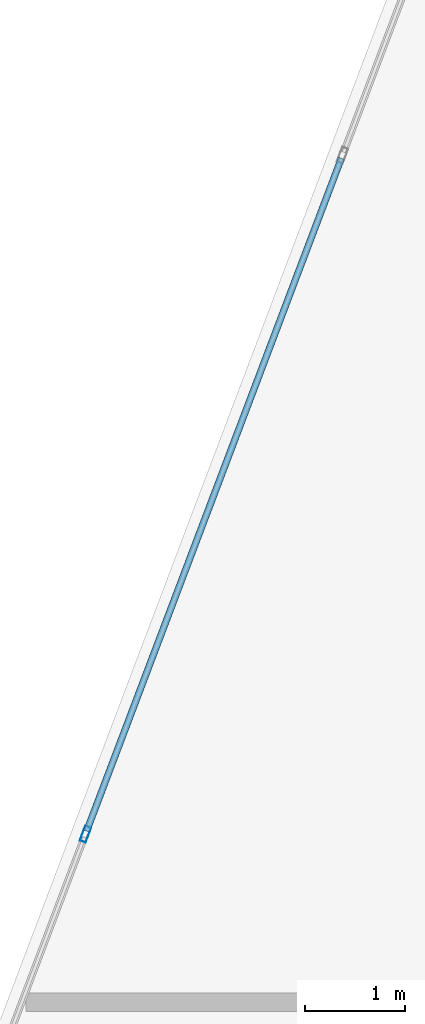
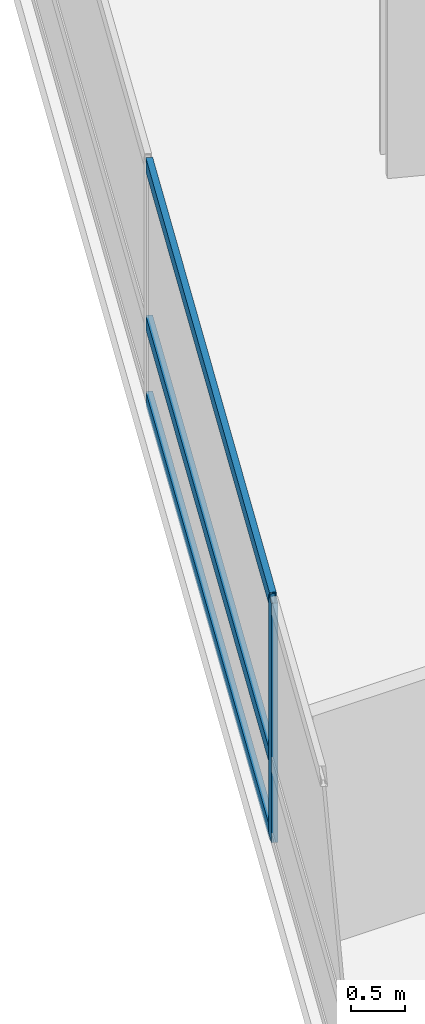
# One storey, part 4 of 25: 4 members, 1 element without a shape of its own.
"""IFC4 building model written with IfcOpenShell, lengths in metres."""

from ifc_helpers import new_model, si_unit, direction, frame, origin, origin_2d, place, context, subcontext, project, spatial, hollow_rectangle, extrude, material, layer, layer_set, material_profile, profile_set, type_object, element, aggregate, save


model = new_model("IFC4")

# Units and contexts
model_context = context("Model", 3, precision=1e-05, world=origin(), true_north=direction((0.0, 1.0)))
body_context = subcontext(model_context, "Body", "Model", "MODEL_VIEW")
ifc_project = project(units=[si_unit("LENGTHUNIT", "METRE"), si_unit("AREAUNIT", "SQUARE_METRE"), si_unit("VOLUMEUNIT", "CUBIC_METRE"), si_unit("PLANEANGLEUNIT", "RADIAN"), si_unit("MASSUNIT", "GRAM", prefix="KILO")], contexts=[model_context])

# Site, building, storey
site_placement = place(None, origin())
site = spatial("IfcSite", under=ifc_project, at=site_placement, CompositionType="ELEMENT")
building_placement = place(site_placement, origin())
building = spatial("IfcBuilding", under=site, at=building_placement, Name="Varnelok Gate Tower", CompositionType="ELEMENT")
storey_placement = place(building_placement, frame((0.0, 0.0, 105.800048828125)))
storey = spatial("IfcBuildingStorey", under=building, at=storey_placement, Name="L26", CompositionType="ELEMENT", Elevation=105.800048828125)

# Curtain wall, members
ifc_material = material(Name="Anodized Aluminum Alloy 6063-T6", Category="aluminium")
ifc_layer = layer(ifc_material, 0.179931640625)
ifc_layer_set = layer_set([ifc_layer], Name="Anodized Aluminum Alloy 6063-T6")
curtain_wall_type = type_object("IfcCurtainWallType", Name="CW3-HOTEL-VISION", PredefinedType="USERDEFINED", material=ifc_layer_set)
curtain_wall_placement = place(storey_placement, origin())
curtain_wall = element("IfcCurtainWall", 1, at=curtain_wall_placement, inside=storey, type_object=curtain_wall_type, Name="L26 West End Vision Curtain Wall", ObjectType="UNITISED CURTAIN WALL", PredefinedType="USERDEFINED")
ifc_material_profile_1 = material_profile(ifc_material, hollow_rectangle(XDim=0.06494140625, YDim=0.159912109375, WallThickness=0.00390625, at=origin_2d()), Name="ALU160X65X4")
ifc_profile_set_1 = profile_set([ifc_material_profile_1], Name="Anodized Aluminum Alloy 6063-T6")
member_type_1 = type_object("IfcMemberType", Name="CW-MULL-160", PredefinedType="MULLION", material=ifc_profile_set_1)
member_1_placement = place(storey_placement, frame((0.508544921875, 28.3359375, 0.0), z_axis=(0.0, 0.0, 1.0), x_axis=(-0.935221323688, 0.354063660545, 0.0)))
member_1 = element("IfcMember", 2, at=member_1_placement, type_object=member_type_1, Name="CW3 mullion 2", PredefinedType="MULLION", context=body_context, shape_type="SweptSolid", body=[
    extrude(hollow_rectangle(XDim=0.06494140625, YDim=0.159912109375, WallThickness=0.00390625, at=origin_2d()), origin(), (0.0, 0.0, 1.0), 2.72998046875),
])
ifc_material_profile_2 = material_profile(ifc_material, hollow_rectangle(XDim=0.06494140625, YDim=0.159912109375, WallThickness=0.00390625, at=origin_2d()), Name="ALU160X65X4")
ifc_profile_set_2 = profile_set([ifc_material_profile_2], Name="Anodized Aluminum Alloy 6063-T6")
member_type_2 = type_object("IfcMemberType", Name="CW-TRAN-160", PredefinedType="USERDEFINED", material=ifc_profile_set_2)
member_2_placement = place(storey_placement, frame((0.52001953125, 28.3662109375, 0.032470703125), z_axis=(0.354078724634, 0.935215620465, 0.0), x_axis=(-0.935215620465, 0.354078724634, 0.0)))
member_2 = element("IfcMember", 3, at=member_2_placement, type_object=member_type_2, Name="CW3 transom 2.1", ObjectType="TRANSOM", PredefinedType="USERDEFINED", context=body_context, shape_type="SweptSolid", body=[
    extrude(hollow_rectangle(XDim=0.06494140625, YDim=0.159912109375, WallThickness=0.00390625, at=origin_2d()), origin(), (0.0, 0.0, 1.0), 7.175048828125),
])
member_3_placement = place(storey_placement, frame((0.52001953125, 28.3662109375, 0.89990234375), z_axis=(0.354078724634, 0.935215620465, 0.0), x_axis=(-0.935215620465, 0.354078724634, 0.0)))
member_3 = element("IfcMember", 4, at=member_3_placement, type_object=member_type_2, Name="CW3 transom 2.2", ObjectType="TRANSOM", PredefinedType="USERDEFINED", context=body_context, shape_type="SweptSolid", body=[
    extrude(hollow_rectangle(XDim=0.06494140625, YDim=0.159912109375, WallThickness=0.00390625, at=origin_2d()), origin(), (0.0, 0.0, 1.0), 7.175048828125),
])
member_4_placement = place(storey_placement, frame((0.52001953125, 28.3662109375, 2.697509765625), z_axis=(0.354078724634, 0.935215620465, 0.0), x_axis=(-0.935215620465, 0.354078724634, 0.0)))
member_4 = element("IfcMember", 5, at=member_4_placement, type_object=member_type_2, Name="CW3 transom 2.3", ObjectType="TRANSOM", PredefinedType="USERDEFINED", context=body_context, shape_type="SweptSolid", body=[
    extrude(hollow_rectangle(XDim=0.06494140625, YDim=0.159912109375, WallThickness=0.00390625, at=origin_2d()), origin(), (0.0, 0.0, 1.0), 7.175048828125),
])
aggregate(curtain_wall, [member_1, member_2, member_3, member_4])

save(model, "model.ifc")
